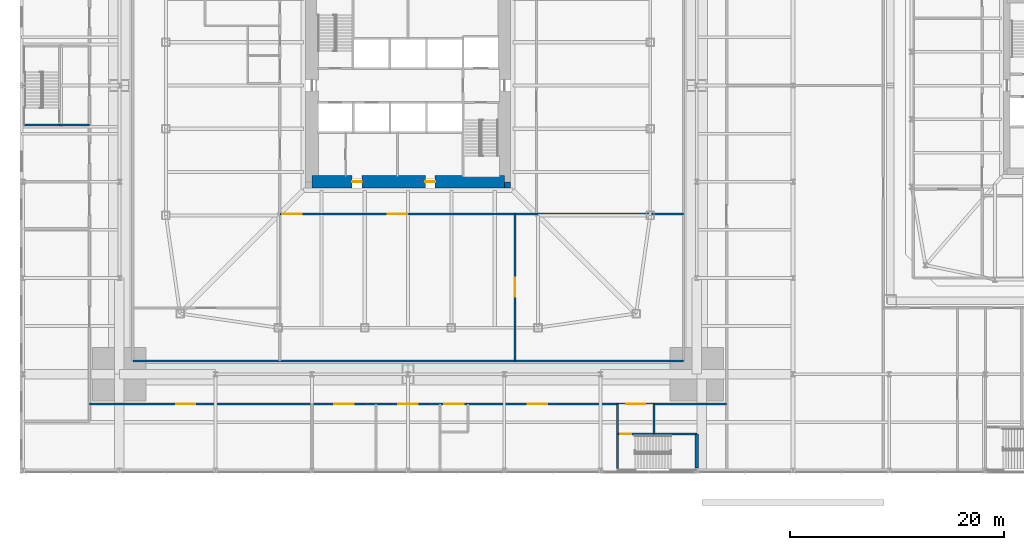
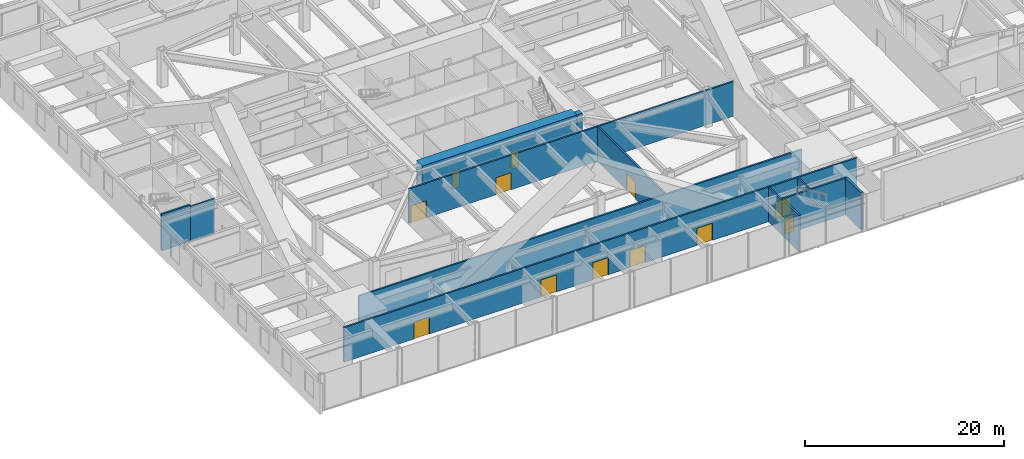
# One storey, part 20 of 32: 13 walls, 12 doors, 12 openings.
"""IFC4 building model written with IfcOpenShell, lengths in metres."""

import ifcopenshell
import ifcopenshell.guid

model = None  # the IFC model being written
_history = None  # IfcOwnerHistory: only IFC2X3 demands one
_inside = {}  # id of a spatial element -> (the spatial element, [elements in it])
_under = {}  # id of a project, library or spatial element -> (it, [spatial elements below it])
_declared = {}  # id of a project -> (the project, [libraries it declares])
_typed = {}  # id of a type object -> (the type object, [elements of that type])
_made_of = {}  # id of a material, layer set ... -> (it, [elements and type objects made of it])


def new_model(schema):
    """Start an empty IFC model of exactly this schema.

    Asked for "IFC4X3", IfcOpenShell would pick the latest addendum, in which some entities
    have other attributes; the version numbers below select the first issue.
    IFC2X3 requires an IfcOwnerHistory on every rooted entity: one is made here for all.
    """
    global model, _history
    if schema == "IFC4X3":
        model = ifcopenshell.file(schema_version=(4, 3, 0, 0))
    else:
        model = ifcopenshell.file(schema=schema)
    _inside.clear()
    _under.clear()
    _declared.clear()
    _typed.clear()
    _made_of.clear()
    _history = None
    if model.schema == "IFC2X3":
        org = make("IfcOrganization", Name="unknown")
        user = make(
            "IfcPersonAndOrganization",
            ThePerson=make("IfcPerson", FamilyName="unknown"),
            TheOrganization=org,
        )
        app = make(
            "IfcApplication",
            ApplicationDeveloper=org,
            Version="unknown",
            ApplicationFullName="unknown",
            ApplicationIdentifier="unknown",
        )
        _history = make(
            "IfcOwnerHistory",
            OwningUser=user,
            OwningApplication=app,
            ChangeAction="ADDED",
            CreationDate=0,
        )
    return model


def make(cls, **values):
    """One entity of the class cls with the attributes given. An attribute that is None is left unset."""
    return model.create_entity(
        cls, **{name: value for name, value in values.items() if value is not None}
    )


def rooted(cls, **values):
    """An entity with a GlobalId (a new one), such as an element, a storey or a relation."""
    return make(cls, GlobalId=ifcopenshell.guid.new(), OwnerHistory=_history, **values)


def si_unit(unit_type, name, prefix=None):
    """IfcSIUnit, for example si_unit("LENGTHUNIT", "METRE", prefix="MILLI")."""
    return make("IfcSIUnit", UnitType=unit_type, Prefix=prefix, Name=name)


def assignment(units):
    """IfcUnitAssignment: the units of a project."""
    return None if units is None else make("IfcUnitAssignment", Units=units)


def point(xyz):
    """IfcCartesianPoint."""
    return None if xyz is None else make("IfcCartesianPoint", Coordinates=xyz)


def direction(xyz):
    """IfcDirection."""
    return None if xyz is None else make("IfcDirection", DirectionRatios=xyz)


def frame(location, z_axis=None, x_axis=None):
    """IfcAxis2Placement3D, a coordinate frame: its origin and axes. An axis left out is left unset."""
    return make(
        "IfcAxis2Placement3D",
        Location=point(location),
        Axis=direction(z_axis),
        RefDirection=direction(x_axis),
    )


def frame_2d(location, x_axis=None):
    """IfcAxis2Placement2D, a coordinate frame in the plane: its origin and x axis."""
    return make(
        "IfcAxis2Placement2D", Location=point(location), RefDirection=direction(x_axis)
    )


def origin():
    """The frame at (0, 0, 0) with its axes left unset."""
    return frame((0.0, 0.0, 0.0))


def place(relative_to, where):
    """IfcLocalPlacement: puts the frame where relative to a parent placement (None: the world)."""
    return make(
        "IfcLocalPlacement", PlacementRelTo=relative_to, RelativePlacement=where
    )


def context(
    kind, dimensions, precision=None, world=None, true_north=None, identifier=None
):
    """IfcGeometricRepresentationContext, for example the 3D "Model" context."""
    return make(
        "IfcGeometricRepresentationContext",
        ContextIdentifier=identifier,
        ContextType=kind,
        CoordinateSpaceDimension=dimensions,
        Precision=precision,
        WorldCoordinateSystem=world,
        TrueNorth=true_north,
    )


def subcontext(parent, identifier, kind, view, scale=None):
    """IfcGeometricRepresentationSubContext, for example "Body" below "Model"."""
    return make(
        "IfcGeometricRepresentationSubContext",
        ContextIdentifier=identifier,
        ContextType=kind,
        ParentContext=parent,
        TargetScale=scale,
        TargetView=view,
    )


def project(units=None, contexts=None):
    """IfcProject with its units and contexts."""
    return rooted(
        "IfcProject",
        Name="project",
        RepresentationContexts=contexts,
        UnitsInContext=assignment(units),
    )


def spatial(cls, under=None, at=None, **own):
    """A site, building, storey or space (cls), placed at a placement, below another one or the project."""
    s = rooted(cls, ObjectPlacement=at, **own)
    if under is not None:
        _under.setdefault(under.id(), (under, []))[1].append(s)
    return s


def profile(cls, at=None, kind="AREA", **sizes):
    """A parametric profile (cls). Its sizes go by their IFC names, for example OverallWidth=200.0."""
    return make(cls, ProfileType=kind, Position=at, **sizes)


def rectangle(**sizes):
    """IfcRectangleProfileDef."""
    return profile("IfcRectangleProfileDef", **sizes)


def extrude(swept, where, along, depth):
    """IfcExtrudedAreaSolid: the profile swept, set in the frame where, extruded along a direction by depth."""
    return make(
        "IfcExtrudedAreaSolid",
        SweptArea=swept,
        Position=where,
        ExtrudedDirection=direction(along),
        Depth=depth,
    )


def shape(context_of_items, identifier, shape_type, items):
    """IfcShapeRepresentation: the items that make up one representation, for example the "Body"."""
    return make(
        "IfcShapeRepresentation",
        ContextOfItems=context_of_items,
        RepresentationIdentifier=identifier,
        RepresentationType=shape_type,
        Items=items,
    )


def material(Name=None, Category=None):
    """IfcMaterial."""
    return make("IfcMaterial", Name=Name, Category=Category)


def layer(
    of_material, thickness, ventilated=None, Name=None, Category=None, Priority=None
):
    """IfcMaterialLayer: one layer of a wall or slab, of a material (None: an air gap)."""
    return make(
        "IfcMaterialLayer",
        Material=of_material,
        LayerThickness=thickness,
        IsVentilated=ventilated,
        Name=Name,
        Category=Category,
        Priority=Priority,
    )


def layer_set(layers, Name=None):
    """IfcMaterialLayerSet."""
    return make("IfcMaterialLayerSet", MaterialLayers=layers, LayerSetName=Name)


def made_of(thing, what):
    """Note that an element or type object is made of a material, layer set ...; save() writes the relation."""
    if what is not None:
        _made_of.setdefault(what.id(), (what, []))[1].append(thing)
    return thing


def type_object(cls, material=None, **own):
    """A type object (cls), such as IfcWallType, which elements share."""
    return made_of(rooted(cls, **own), material)


def element(
    cls,
    number,
    at=None,
    inside=None,
    cuts=None,
    type_object=None,
    material=None,
    context=None,
    identifier="Body",
    shape_type=None,
    held_by="IfcProductDefinitionShape",
    body=None,
    shapes=None,
    **own,
):
    """One element of the class cls, such as IfcWall. Its Tag is "e" and its number.

    at: its placement. inside: the storey or other place that contains it. cuts: it is an
    opening in that element (IfcRelVoidsElement). A single representation is given by context,
    identifier, shape_type and body (its items); several are given by shapes. held_by: the class
    of the entity that holds the representations. save() writes the other relations.
    """
    e = rooted(cls, Tag="e%d" % number, ObjectPlacement=at, **own)
    if body is not None:
        shapes = [shape(context, identifier, shape_type, body)]
    if shapes is not None:
        e.Representation = make(held_by, Representations=shapes)
    if inside is not None:
        _inside.setdefault(inside.id(), (inside, []))[1].append(e)
    if cuts is not None:
        rooted(
            "IfcRelVoidsElement", RelatingBuildingElement=cuts, RelatedOpeningElement=e
        )
    if type_object is not None:
        _typed.setdefault(type_object.id(), (type_object, []))[1].append(e)
    return made_of(e, material)


def fill(opening, filler):
    """IfcRelFillsElement: the door or window that sits in an opening."""
    return rooted(
        "IfcRelFillsElement",
        RelatingOpeningElement=opening,
        RelatedBuildingElement=filler,
    )


def aggregate(whole, parts):
    """IfcRelAggregates: a whole, such as a stair, and the parts it consists of."""
    return rooted("IfcRelAggregates", RelatingObject=whole, RelatedObjects=parts)


def save(model, path):
    """Write the relations noted so far, then the file.

    IfcRelAggregates (storeys below a building ...), IfcRelContainedInSpatialStructure (elements
    in a storey), IfcRelDefinesByType, IfcRelAssociatesMaterial and IfcRelDeclares: one each for
    every whole, place, type object, material and project.
    """
    for whole, parts in _under.values():
        aggregate(whole, parts)
    for where, things in _inside.values():
        rooted(
            "IfcRelContainedInSpatialStructure",
            RelatedElements=things,
            RelatingStructure=where,
        )
    for kind, things in _typed.values():
        rooted("IfcRelDefinesByType", RelatedObjects=things, RelatingType=kind)
    for what, things in _made_of.values():
        rooted("IfcRelAssociatesMaterial", RelatedObjects=things, RelatingMaterial=what)
    for by, libraries in _declared.values():
        rooted("IfcRelDeclares", RelatingContext=by, RelatedDefinitions=libraries)
    model.write(path)


model = new_model("IFC4")

# Units and contexts
model_context = context("Model", 3, precision=1e-05, world=origin(), true_north=direction((0.0, 1.0)))
body_context = subcontext(model_context, "Body", "Model", "MODEL_VIEW")
ifc_project = project(units=[si_unit("LENGTHUNIT", "METRE"), si_unit("AREAUNIT", "SQUARE_METRE"), si_unit("VOLUMEUNIT", "CUBIC_METRE"), si_unit("PLANEANGLEUNIT", "RADIAN"), si_unit("MASSUNIT", "GRAM", prefix="KILO")], contexts=[model_context])

# Site, building, storey
site_placement = place(None, origin())
site = spatial("IfcSite", under=ifc_project, at=site_placement, CompositionType="ELEMENT")
building_placement = place(site_placement, origin())
building = spatial("IfcBuilding", under=site, at=building_placement, Name="Iwan Alto Co-Living Towers", CompositionType="ELEMENT")
storey_placement = place(building_placement, frame((0.0, 0.0, 6.0)))
storey = spatial("IfcBuildingStorey", under=building, at=storey_placement, Name="L01", CompositionType="ELEMENT", Elevation=6.0)

# Wall, openings, doors
ifc_material_1 = material(Name="Concrete block masonry f*p 10 MPa", Category="masonry")
ifc_layer_1 = layer(ifc_material_1, 0.199951171875)
ifc_layer_set_1 = layer_set([ifc_layer_1], Name="PODIUM INTERNAL WALL 200")
wall_type_1 = type_object("IfcWallType", Name="PODIUM INTERNAL WALL 200", PredefinedType="SOLIDWALL", material=ifc_layer_set_1)
wall_1_placement = place(storey_placement, frame((-29.800048828125, -29.800048828125, 0.0), z_axis=(0.0, 0.0, 1.0), x_axis=(1.0, 0.0, 0.0)))
wall_1 = element("IfcWall", 1, at=wall_1_placement, inside=storey, type_object=wall_type_1, Name="Partition L01", PredefinedType="SOLIDWALL", context=body_context, shape_type="SweptSolid", body=[
    extrude(rectangle(XDim=59.60009765625, YDim=0.199951171875, at=frame_2d((29.800048828125, 0.0))), origin(), (0.0, 0.0, 1.0), 4.25),
])
opening_1_placement = place(wall_1_placement, frame((8.10009765625, 0.0, 0.0)))
opening_1 = element("IfcOpeningElement", 2, at=opening_1_placement, cuts=wall_1, Name="Opening D9", PredefinedType="OPENING", context=body_context, shape_type="SweptSolid", body=[
    extrude(rectangle(XDim=1.800048828125, YDim=2.10009765625, at=frame_2d((0.89990234375, 1.050048828125))), frame((0.0, 0.10986328125, 0.0), z_axis=(0.0, -1.0, 0.0), x_axis=(1.0, 0.0, 0.0)), (0.0, 0.0, 1.0), 0.219970703125),
])
opening_2_placement = place(wall_1_placement, frame((22.89990234375, 0.0, 0.0)))
opening_2 = element("IfcOpeningElement", 3, at=opening_2_placement, cuts=wall_1, Name="Opening D9", PredefinedType="OPENING", context=body_context, shape_type="SweptSolid", body=[
    extrude(rectangle(XDim=1.800048828125, YDim=2.10009765625, at=frame_2d((0.89990234375, 1.050048828125))), frame((0.0, 0.10986328125, 0.0), z_axis=(0.0, -1.0, 0.0), x_axis=(1.0, 0.0, 0.0)), (0.0, 0.0, 1.0), 0.219970703125),
])
opening_3_placement = place(wall_1_placement, frame((28.89990234375, 0.0, 0.0)))
opening_3 = element("IfcOpeningElement", 4, at=opening_3_placement, cuts=wall_1, Name="Opening D9", PredefinedType="OPENING", context=body_context, shape_type="SweptSolid", body=[
    extrude(rectangle(XDim=1.800048828125, YDim=2.10009765625, at=frame_2d((0.89990234375, 1.050048828125))), frame((0.0, 0.10986328125, 0.0), z_axis=(0.0, -1.0, 0.0), x_axis=(1.0, 0.0, 0.0)), (0.0, 0.0, 1.0), 0.219970703125),
])
opening_4_placement = place(wall_1_placement, frame((33.199951171875, 0.0, 0.0)))
opening_4 = element("IfcOpeningElement", 5, at=opening_4_placement, cuts=wall_1, Name="Opening D9", PredefinedType="OPENING", context=body_context, shape_type="SweptSolid", body=[
    extrude(rectangle(XDim=1.800048828125, YDim=2.10009765625, at=frame_2d((0.89990234375, 1.050048828125))), frame((0.0, 0.10986328125, 0.0), z_axis=(0.0, -1.0, 0.0), x_axis=(1.0, 0.0, 0.0)), (0.0, 0.0, 1.0), 0.219970703125),
])
opening_5_placement = place(wall_1_placement, frame((41.0, 0.0, 0.0)))
opening_5 = element("IfcOpeningElement", 6, at=opening_5_placement, cuts=wall_1, Name="Opening D9", PredefinedType="OPENING", context=body_context, shape_type="SweptSolid", body=[
    extrude(rectangle(XDim=1.800048828125, YDim=2.10009765625, at=frame_2d((0.89990234375, 1.050048828125))), frame((0.0, 0.10986328125, 0.0), z_axis=(0.0, -1.0, 0.0), x_axis=(1.0, 0.0, 0.0)), (0.0, 0.0, 1.0), 0.219970703125),
])
opening_6_placement = place(wall_1_placement, frame((50.199951171875, 0.0, 0.0)))
opening_6 = element("IfcOpeningElement", 7, at=opening_6_placement, cuts=wall_1, Name="Opening D9", PredefinedType="OPENING", context=body_context, shape_type="SweptSolid", body=[
    extrude(rectangle(XDim=1.800048828125, YDim=2.10009765625, at=frame_2d((0.89990234375, 1.050048828125))), frame((0.0, 0.10986328125, 0.0), z_axis=(0.0, -1.0, 0.0), x_axis=(1.0, 0.0, 0.0)), (0.0, 0.0, 1.0), 0.219970703125),
])
ifc_material_2 = material(Name="Steel frame with timber leaf", Category="steel")
door_type_1 = type_object("IfcDoorType", Name="LOUNGE DOOR FD30S 1800X2100", OperationType="DOUBLE_DOOR_SINGLE_SWING", PredefinedType="DOOR", material=ifc_material_2)
door_1_placement = place(opening_1_placement, frame((1.800048828125, 0.0, 0.0), z_axis=(0.0, 0.0, 1.0), x_axis=(-1.0, 0.0, 0.0)))
door_1 = element("IfcDoor", 8, at=door_1_placement, inside=storey, type_object=door_type_1, Name="Kitchen door L01", OperationType="DOUBLE_DOOR_SINGLE_SWING", OverallHeight=2.10009765625, OverallWidth=1.800048828125, PredefinedType="DOOR", context=body_context, shape_type="SweptSolid", body=[
    extrude(rectangle(XDim=1.800048828125, YDim=2.10009765625, at=frame_2d((0.89990234375, 1.050048828125))), frame((0.0, 0.02490234375, 0.0), z_axis=(0.0, -1.0, 0.0), x_axis=(1.0, 0.0, 0.0)), (0.0, 0.0, 1.0), 0.050048828125),
])
fill(opening_1, door_1)
door_2_placement = place(opening_2_placement, frame((1.800048828125, 0.0, 0.0), z_axis=(0.0, 0.0, 1.0), x_axis=(-1.0, 0.0, 0.0)))
door_2 = element("IfcDoor", 9, at=door_2_placement, inside=storey, type_object=door_type_1, Name="Women's toilets door L01", OperationType="DOUBLE_DOOR_SINGLE_SWING", OverallHeight=2.10009765625, OverallWidth=1.800048828125, PredefinedType="DOOR", context=body_context, shape_type="SweptSolid", body=[
    extrude(rectangle(XDim=1.800048828125, YDim=2.10009765625, at=frame_2d((0.89990234375, 1.050048828125))), frame((0.0, 0.02490234375, 0.0), z_axis=(0.0, -1.0, 0.0), x_axis=(1.0, 0.0, 0.0)), (0.0, 0.0, 1.0), 0.050048828125),
])
fill(opening_2, door_2)
door_3_placement = place(opening_3_placement, frame((1.800048828125, 0.0, 0.0), z_axis=(0.0, 0.0, 1.0), x_axis=(-1.0, 0.0, 0.0)))
door_3 = element("IfcDoor", 10, at=door_3_placement, inside=storey, type_object=door_type_1, Name="Men's toilets door L01", OperationType="DOUBLE_DOOR_SINGLE_SWING", OverallHeight=2.10009765625, OverallWidth=1.800048828125, PredefinedType="DOOR", context=body_context, shape_type="SweptSolid", body=[
    extrude(rectangle(XDim=1.800048828125, YDim=2.10009765625, at=frame_2d((0.89990234375, 1.050048828125))), frame((0.0, 0.02490234375, 0.0), z_axis=(0.0, -1.0, 0.0), x_axis=(1.0, 0.0, 0.0)), (0.0, 0.0, 1.0), 0.050048828125),
])
fill(opening_3, door_3)
door_4_placement = place(opening_4_placement, frame((1.800048828125, 0.0, 0.0), z_axis=(0.0, 0.0, 1.0), x_axis=(-1.0, 0.0, 0.0)))
door_4 = element("IfcDoor", 11, at=door_4_placement, inside=storey, type_object=door_type_1, Name="Accessible WC door L01", OperationType="DOUBLE_DOOR_SINGLE_SWING", OverallHeight=2.10009765625, OverallWidth=1.800048828125, PredefinedType="DOOR", context=body_context, shape_type="SweptSolid", body=[
    extrude(rectangle(XDim=1.800048828125, YDim=2.10009765625, at=frame_2d((0.89990234375, 1.050048828125))), frame((0.0, 0.02490234375, 0.0), z_axis=(0.0, -1.0, 0.0), x_axis=(1.0, 0.0, 0.0)), (0.0, 0.0, 1.0), 0.050048828125),
])
fill(opening_4, door_4)
door_5_placement = place(opening_5_placement, frame((1.800048828125, 0.0, 0.0), z_axis=(0.0, 0.0, 1.0), x_axis=(-1.0, 0.0, 0.0)))
door_5 = element("IfcDoor", 12, at=door_5_placement, inside=storey, type_object=door_type_1, Name="Store door L01", OperationType="DOUBLE_DOOR_SINGLE_SWING", OverallHeight=2.10009765625, OverallWidth=1.800048828125, PredefinedType="DOOR", context=body_context, shape_type="SweptSolid", body=[
    extrude(rectangle(XDim=1.800048828125, YDim=2.10009765625, at=frame_2d((0.89990234375, 1.050048828125))), frame((0.0, 0.02490234375, 0.0), z_axis=(0.0, -1.0, 0.0), x_axis=(1.0, 0.0, 0.0)), (0.0, 0.0, 1.0), 0.050048828125),
])
fill(opening_5, door_5)
door_6_placement = place(opening_6_placement, frame((1.800048828125, 0.0, 0.0), z_axis=(0.0, 0.0, 1.0), x_axis=(-1.0, 0.0, 0.0)))
door_6 = element("IfcDoor", 13, at=door_6_placement, inside=storey, type_object=door_type_1, Name="Stair lobby door L01", OperationType="DOUBLE_DOOR_SINGLE_SWING", OverallHeight=2.10009765625, OverallWidth=1.800048828125, PredefinedType="DOOR", context=body_context, shape_type="SweptSolid", body=[
    extrude(rectangle(XDim=1.800048828125, YDim=2.10009765625, at=frame_2d((0.89990234375, 1.050048828125))), frame((0.0, 0.02490234375, 0.0), z_axis=(0.0, -1.0, 0.0), x_axis=(1.0, 0.0, 0.0)), (0.0, 0.0, 1.0), 0.050048828125),
])
fill(opening_6, door_6)

# Wall
wall_2_placement = place(storey_placement, frame((-25.75, -25.75, 0.0), z_axis=(0.0, 0.0, 1.0), x_axis=(1.0, 0.0, 0.0)))
element("IfcWall", 14, at=wall_2_placement, inside=storey, type_object=wall_type_1, Name="Partition L01", PredefinedType="SOLIDWALL", context=body_context, shape_type="SweptSolid", body=[
    extrude(rectangle(XDim=51.5, YDim=0.199951171875, at=frame_2d((25.75, 0.0))), origin(), (0.0, 0.0, 1.0), 4.25),
])

# Wall, openings, doors
wall_3_placement = place(storey_placement, frame((-12.0, -12.0, 0.0), z_axis=(0.0, 0.0, 1.0), x_axis=(1.0, 0.0, 0.0)))
wall_3 = element("IfcWall", 15, at=wall_3_placement, inside=storey, type_object=wall_type_1, Name="Partition L01", PredefinedType="SOLIDWALL", context=body_context, shape_type="SweptSolid", body=[
    extrude(rectangle(XDim=37.75, YDim=0.199951171875, at=frame_2d((18.875, 0.0))), origin(), (0.0, 0.0, 1.0), 4.25),
])
opening_7_placement = place(wall_3_placement, frame((10.10009765625, 0.0, 0.0)))
opening_7 = element("IfcOpeningElement", 16, at=opening_7_placement, cuts=wall_3, Name="Opening D9", PredefinedType="OPENING", context=body_context, shape_type="SweptSolid", body=[
    extrude(rectangle(XDim=1.800048828125, YDim=2.10009765625, at=frame_2d((0.89990234375, 1.050048828125))), frame((0.0, 0.10986328125, 0.0), z_axis=(0.0, -1.0, 0.0), x_axis=(1.0, 0.0, 0.0)), (0.0, 0.0, 1.0), 0.219970703125),
])
opening_8_placement = place(wall_3_placement, frame((0.25, 0.0, 0.0)))
opening_8 = element("IfcOpeningElement", 17, at=opening_8_placement, cuts=wall_3, Name="Opening D9", PredefinedType="OPENING", context=body_context, shape_type="SweptSolid", body=[
    extrude(rectangle(XDim=1.800048828125, YDim=2.10009765625, at=frame_2d((0.89990234375, 1.050048828125))), frame((0.0, 0.10986328125, 0.0), z_axis=(0.0, -1.0, 0.0), x_axis=(1.0, 0.0, 0.0)), (0.0, 0.0, 1.0), 0.219970703125),
])
door_7_placement = place(opening_7_placement, frame((1.800048828125, 0.0, 0.0), z_axis=(0.0, 0.0, 1.0), x_axis=(-1.0, 0.0, 0.0)))
door_7 = element("IfcDoor", 18, at=door_7_placement, inside=storey, type_object=door_type_1, Name="Corridor door L01", OperationType="DOUBLE_DOOR_SINGLE_SWING", OverallHeight=2.10009765625, OverallWidth=1.800048828125, PredefinedType="DOOR", context=body_context, shape_type="SweptSolid", body=[
    extrude(rectangle(XDim=1.800048828125, YDim=2.10009765625, at=frame_2d((0.89990234375, 1.050048828125))), frame((0.0, 0.02490234375, 0.0), z_axis=(0.0, -1.0, 0.0), x_axis=(1.0, 0.0, 0.0)), (0.0, 0.0, 1.0), 0.050048828125),
])
fill(opening_7, door_7)
door_8_placement = place(opening_8_placement, frame((1.800048828125, 0.0, 0.0), z_axis=(0.0, 0.0, 1.0), x_axis=(-1.0, 0.0, 0.0)))
door_8 = element("IfcDoor", 19, at=door_8_placement, inside=storey, type_object=door_type_1, Name="Dining hall door L01", OperationType="DOUBLE_DOOR_SINGLE_SWING", OverallHeight=2.10009765625, OverallWidth=1.800048828125, PredefinedType="DOOR", context=body_context, shape_type="SweptSolid", body=[
    extrude(rectangle(XDim=1.800048828125, YDim=2.10009765625, at=frame_2d((0.89990234375, 1.050048828125))), frame((0.0, 0.02490234375, 0.0), z_axis=(0.0, -1.0, 0.0), x_axis=(1.0, 0.0, 0.0)), (0.0, 0.0, 1.0), 0.050048828125),
])
fill(opening_8, door_8)

# Walls
for number, where, z_axis, x_axis, name in (
    (20, (-32.60009765625, -3.699951171875, 0.0), (0.0, 0.0, 1.0), (1.0, 0.0, 0.0), "Partition L01"),
    (21, (23.0, -32.60009765625, 0.0), (0.0, 0.0, 1.0), (0.0, 1.0, 0.0), "Partition L01"),
    (22, (19.60009765625, -32.60009765625, 0.0), (0.0, 0.0, 1.0), (0.0, 1.0, 0.0), "Partition L01"),
):
    element("IfcWall", number, at=place(storey_placement, frame(where, z_axis=z_axis, x_axis=x_axis)), inside=storey, type_object=wall_type_1, Name=name, PredefinedType="SOLIDWALL", context=body_context, shape_type="SweptSolid", body=[
        extrude(rectangle(XDim=2.800048828125, YDim=0.199951171875, at=frame_2d((1.39990234375, 0.0))), origin(), (0.0, 0.0, 1.0), 4.25),
    ])

# Wall, opening, door
wall_4_placement = place(storey_placement, frame((10.0, -25.75, 0.0), z_axis=(0.0, 0.0, 1.0), x_axis=(0.0, 1.0, 0.0)))
wall_4 = element("IfcWall", 23, at=wall_4_placement, inside=storey, type_object=wall_type_1, Name="Partition L01", PredefinedType="SOLIDWALL", context=body_context, shape_type="SweptSolid", body=[
    extrude(rectangle(XDim=13.75, YDim=0.199951171875, at=frame_2d((6.875, 0.0))), origin(), (0.0, 0.0, 1.0), 4.25),
])
opening_9_placement = place(wall_4_placement, frame((5.97509765625, 0.0, 0.0)))
opening_9 = element("IfcOpeningElement", 24, at=opening_9_placement, cuts=wall_4, Name="Opening D9", PredefinedType="OPENING", context=body_context, shape_type="SweptSolid", body=[
    extrude(rectangle(XDim=1.800048828125, YDim=2.10009765625, at=frame_2d((0.89990234375, 1.050048828125))), frame((0.0, 0.10986328125, 0.0), z_axis=(0.0, -1.0, 0.0), x_axis=(1.0, 0.0, 0.0)), (0.0, 0.0, 1.0), 0.219970703125),
])
door_9_placement = place(opening_9_placement, origin())
door_9 = element("IfcDoor", 25, at=door_9_placement, inside=storey, type_object=door_type_1, Name="Servery and dining kitchen door L01", OperationType="DOUBLE_DOOR_SINGLE_SWING", OverallHeight=2.10009765625, OverallWidth=1.800048828125, PredefinedType="DOOR", context=body_context, shape_type="SweptSolid", body=[
    extrude(rectangle(XDim=1.800048828125, YDim=2.10009765625, at=frame_2d((0.89990234375, 1.050048828125))), frame((0.0, 0.02490234375, 0.0), z_axis=(0.0, -1.0, 0.0), x_axis=(1.0, 0.0, 0.0)), (0.0, 0.0, 1.0), 0.050048828125),
])
fill(opening_9, door_9)

ifc_material_3 = material(Name="Concrete f'c 70 MPa", Category="concrete")
ifc_layer_2 = layer(ifc_material_3, 0.199951171875)
ifc_layer_set_2 = layer_set([ifc_layer_2], Name="SHAFT WALL 200")
wall_type_2 = type_object("IfcWallType", Name="SHAFT WALL 200", PredefinedType="SOLIDWALL", material=ifc_layer_set_2)
wall_5_placement = place(storey_placement, frame((19.60009765625, -32.60009765625, 0.0), z_axis=(0.0, 0.0, 1.0), x_axis=(1.0, 0.0, 0.0)))
wall_5 = element("IfcWall", 26, at=wall_5_placement, inside=storey, type_object=wall_type_2, Name="Shaft wall L01", PredefinedType="SOLIDWALL", context=body_context, shape_type="SweptSolid", body=[
    extrude(rectangle(XDim=7.39990234375, YDim=0.199951171875, at=frame_2d((3.699951171875, 0.0))), origin(), (0.0, 0.0, 1.0), 4.5),
])
opening_10_placement = place(wall_5_placement, frame((0.25, 0.0, 0.0)))
opening_10 = element("IfcOpeningElement", 27, at=opening_10_placement, cuts=wall_5, Name="Opening D5", PredefinedType="OPENING", context=body_context, shape_type="SweptSolid", body=[
    extrude(rectangle(XDim=1.0, YDim=2.10009765625, at=frame_2d((0.5, 1.050048828125))), frame((0.0, 0.10986328125, 0.0), z_axis=(0.0, -1.0, 0.0), x_axis=(1.0, 0.0, 0.0)), (0.0, 0.0, 1.0), 0.219970703125),
])
ifc_material_4 = material(Name="Steel frame with timber leaf", Category="steel")
door_type_2 = type_object("IfcDoorType", Name="STAIR DOOR FD120S 1000X2100", OperationType="SINGLE_SWING_LEFT", PredefinedType="DOOR", material=ifc_material_4)
door_10_placement = place(opening_10_placement, frame((1.0, 0.0, 0.0), z_axis=(0.0, 0.0, 1.0), x_axis=(-1.0, 0.0, 0.0)))
door_10 = element("IfcDoor", 28, at=door_10_placement, inside=storey, type_object=door_type_2, Name="Stair PS4 door L01", OperationType="SINGLE_SWING_RIGHT", OverallHeight=2.10009765625, OverallWidth=1.0, PredefinedType="DOOR", context=body_context, shape_type="SweptSolid", body=[
    extrude(rectangle(XDim=1.0, YDim=2.10009765625, at=frame_2d((0.5, 1.050048828125))), frame((0.0, 0.02490234375, 0.0), z_axis=(0.0, -1.0, 0.0), x_axis=(1.0, 0.0, 0.0)), (0.0, 0.0, 1.0), 0.050048828125),
])
fill(opening_10, door_10)

# Walls
wall_6_placement = place(storey_placement, frame((-35.93994140625, -3.699951171875, 0.0), z_axis=(0.0, 0.0, 1.0), x_axis=(1.0, 0.0, 0.0)))
element("IfcWall", 29, at=wall_6_placement, inside=storey, type_object=wall_type_2, Name="Shaft wall L01", PredefinedType="SOLIDWALL", context=body_context, shape_type="SweptSolid", body=[
    extrude(rectangle(XDim=3.33984375, YDim=0.199951171875, at=frame_2d((1.669921875, 0.0))), origin(), (0.0, 0.0, 1.0), 4.5),
])
wall_7_placement = place(storey_placement, frame((19.60009765625, -36.050048828125, 0.0), z_axis=(0.0, 0.0, 1.0), x_axis=(0.0, 1.0, 0.0)))
element("IfcWall", 30, at=wall_7_placement, inside=storey, type_object=wall_type_2, Name="Shaft wall L01", PredefinedType="SOLIDWALL", context=body_context, shape_type="SweptSolid", body=[
    extrude(rectangle(XDim=3.449951171875, YDim=0.199951171875, at=frame_2d((1.72509765625, 0.0))), origin(), (0.0, 0.0, 1.0), 4.5),
])
ifc_material_5 = material(Name="Concrete f'c 70 MPa", Category="concrete")
ifc_layer_3 = layer(ifc_material_5, 0.300048828125)
ifc_layer_set_3 = layer_set([ifc_layer_3], Name="SHAFT WALL 300")
wall_type_3 = type_object("IfcWallType", Name="SHAFT WALL 300", PredefinedType="SOLIDWALL", material=ifc_layer_set_3)
wall_8_placement = place(storey_placement, frame((27.0, -35.78271484375, 0.0), z_axis=(0.0, 0.0, 1.0), x_axis=(0.0, 1.0, 0.0)))
element("IfcWall", 31, at=wall_8_placement, inside=storey, type_object=wall_type_3, Name="Shaft wall L01", PredefinedType="SOLIDWALL", context=body_context, shape_type="SweptSolid", body=[
    extrude(rectangle(XDim=3.1826171875, YDim=0.300048828125, at=frame_2d((1.59130859375, 0.0))), origin(), (0.0, 0.0, 1.0), 4.5),
])
ifc_material_6 = material(Name="Concrete f'c 70 MPa", Category="concrete")
ifc_layer_4 = layer(ifc_material_6, 0.60009765625)
ifc_layer_set_4 = layer_set([ifc_layer_4], Name="T1 CORE CORNER FILL 600")
wall_type_4 = type_object("IfcWallType", Name="T1 CORE CORNER FILL 600", PredefinedType="SOLIDWALL", material=ifc_layer_set_4)
wall_9_placement = place(storey_placement, frame((9.0, -9.300048828125, 0.0), z_axis=(0.0, 0.0, 1.0), x_axis=(1.0, 0.0, 0.0)))
element("IfcWall", 32, at=wall_9_placement, inside=storey, type_object=wall_type_4, Name="T1 core corner SE L01", PredefinedType="SOLIDWALL", context=body_context, shape_type="SweptSolid", body=[
    extrude(rectangle(XDim=0.60009765625, YDim=0.60009765625, at=frame_2d((0.300048828125, 0.0))), origin(), (0.0, 0.0, 1.0), 4.5),
])

# Wall, openings, doors
ifc_material_7 = material(Name="Concrete f'c 70 MPa", Category="concrete")
ifc_layer_5 = layer(ifc_material_7, 1.199951171875)
ifc_layer_set_5 = layer_set([ifc_layer_5], Name="T1 CORE WALL 1200")
wall_type_5 = type_object("IfcWallType", Name="T1 CORE WALL 1200", PredefinedType="SHEAR", material=ifc_layer_set_5)
wall_10_placement = place(storey_placement, frame((-9.0, -9.0, 0.0), z_axis=(0.0, 0.0, 1.0), x_axis=(1.0, 0.0, 0.0)))
wall_10 = element("IfcWall", 33, at=wall_10_placement, inside=storey, type_object=wall_type_5, Name="T1 core wall S L01", PredefinedType="SHEAR", context=body_context, shape_type="SweptSolid", body=[
    extrude(rectangle(XDim=18.0, YDim=1.199951171875, at=frame_2d((9.0, 0.0))), origin(), (0.0, 0.0, 1.0), 4.5),
])
opening_11_placement = place(wall_10_placement, frame((3.77490234375, 0.0, 0.0)))
opening_11 = element("IfcOpeningElement", 34, at=opening_11_placement, cuts=wall_10, Name="Opening D8", PredefinedType="OPENING", context=body_context, shape_type="SweptSolid", body=[
    extrude(rectangle(XDim=0.89990234375, YDim=2.10009765625, at=frame_2d((0.449951171875, 1.050048828125))), frame((0.0, 0.60986328125, 0.0), z_axis=(0.0, -1.0, 0.0), x_axis=(1.0, 0.0, 0.0)), (0.0, 0.0, 1.0), 1.219970703125),
])
opening_12_placement = place(wall_10_placement, frame((10.625, 0.0, 0.0)))
opening_12 = element("IfcOpeningElement", 35, at=opening_12_placement, cuts=wall_10, Name="Opening D8", PredefinedType="OPENING", context=body_context, shape_type="SweptSolid", body=[
    extrude(rectangle(XDim=0.89990234375, YDim=2.10009765625, at=frame_2d((0.449951171875, 1.050048828125))), frame((0.0, 0.60986328125, 0.0), z_axis=(0.0, -1.0, 0.0), x_axis=(1.0, 0.0, 0.0)), (0.0, 0.0, 1.0), 1.219970703125),
])
ifc_material_8 = material(Name="Steel frame with timber leaf", Category="steel")
door_type_3 = type_object("IfcDoorType", Name="RISER DOOR FD120 900X2100", OperationType="SINGLE_SWING_LEFT", PredefinedType="DOOR", material=ifc_material_8)
door_11_placement = place(opening_11_placement, origin())
door_11 = element("IfcDoor", 36, at=door_11_placement, inside=storey, type_object=door_type_3, Name="Refuse room core door L01", OperationType="SINGLE_SWING_LEFT", OverallHeight=2.10009765625, OverallWidth=0.89990234375, PredefinedType="DOOR", context=body_context, shape_type="SweptSolid", body=[
    extrude(rectangle(XDim=0.89990234375, YDim=2.10009765625, at=frame_2d((0.449951171875, 1.050048828125))), frame((0.0, 0.02490234375, 0.0), z_axis=(0.0, -1.0, 0.0), x_axis=(1.0, 0.0, 0.0)), (0.0, 0.0, 1.0), 0.050048828125),
])
fill(opening_11, door_11)
door_12_placement = place(opening_12_placement, origin())
door_12 = element("IfcDoor", 37, at=door_12_placement, inside=storey, type_object=door_type_3, Name="Telecom riser core door L01", OperationType="SINGLE_SWING_LEFT", OverallHeight=2.10009765625, OverallWidth=0.89990234375, PredefinedType="DOOR", context=body_context, shape_type="SweptSolid", body=[
    extrude(rectangle(XDim=0.89990234375, YDim=2.10009765625, at=frame_2d((0.449951171875, 1.050048828125))), frame((0.0, 0.02490234375, 0.0), z_axis=(0.0, -1.0, 0.0), x_axis=(1.0, 0.0, 0.0)), (0.0, 0.0, 1.0), 0.050048828125),
])
fill(opening_12, door_12)

save(model, "model.ifc")
